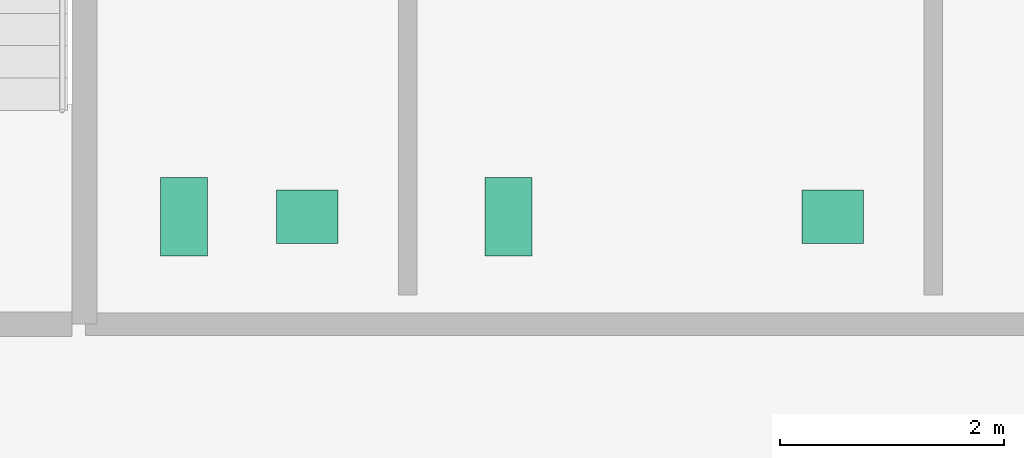
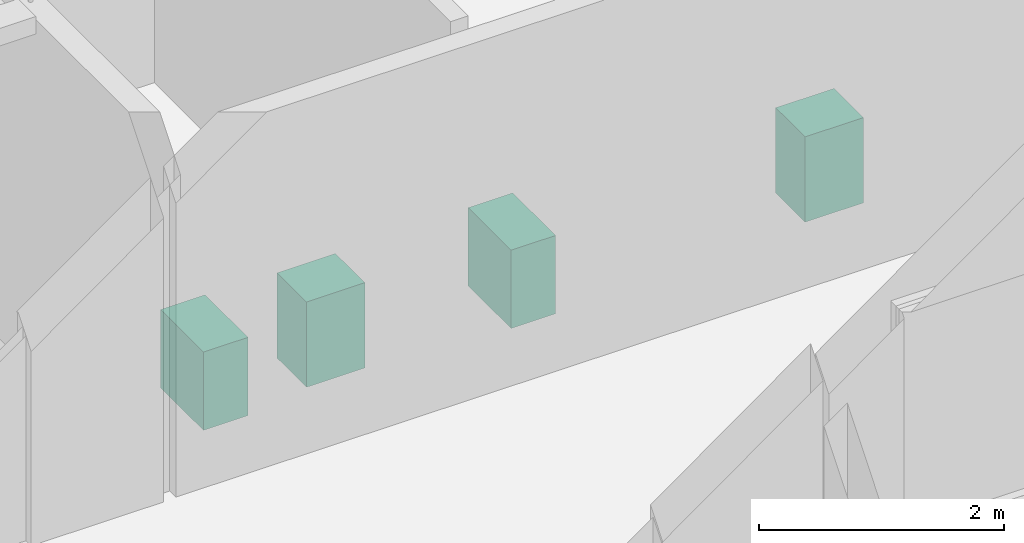
# One storey, part 14 of 14: 4 sanitary terminals.
"""IFC4 building model written with IfcOpenShell, lengths in metres."""

from ifc_helpers import new_model, si_unit, direction, frame, origin, origin_2d, place, context, subcontext, project, spatial, rectangle, extrude, material, type_object, element, save


model = new_model("IFC4")

# Units and contexts
model_context = context("Model", 3, precision=1e-05, world=origin(), true_north=direction((0.0, 1.0)))
body_context = subcontext(model_context, "Body", "Model", "MODEL_VIEW")
ifc_project = project(units=[si_unit("LENGTHUNIT", "METRE"), si_unit("AREAUNIT", "SQUARE_METRE"), si_unit("VOLUMEUNIT", "CUBIC_METRE"), si_unit("PLANEANGLEUNIT", "RADIAN"), si_unit("MASSUNIT", "GRAM", prefix="KILO")], contexts=[model_context])

# Site, building, storey
site_placement = place(None, origin())
site = spatial("IfcSite", under=ifc_project, at=site_placement, CompositionType="ELEMENT")
building_placement = place(site_placement, origin())
building = spatial("IfcBuilding", under=site, at=building_placement, Name="Norrvale University Quadrangle", CompositionType="ELEMENT")
storey_placement = place(building_placement, frame((0.0, 0.0, 218.0)))
storey = spatial("IfcBuildingStorey", under=building, at=storey_placement, Name="L55", CompositionType="ELEMENT", Elevation=218.0)

# Sanitary terminals
ifc_material = material(Name="Vitreous China Sanitaryware")
sanitary_terminal_type_1 = type_object("IfcSanitaryTerminalType", Name="Sanitary Wash Basin", PredefinedType="WASHHANDBASIN", material=ifc_material)
for number, where, z_axis, x_axis, name in (
    (1, (8.300048828125, 41.10009765625, 0.0), (0.0, 0.0, 1.0), (1.0, 0.0, 0.0), "Accessible Countertop Washbasin L55-1"),
    (2, (13.0, 41.10009765625, 0.0), (0.0, 0.0, 1.0), (1.0, 0.0, 0.0), "Accessible Countertop Washbasin L55-2"),
):
    element("IfcSanitaryTerminal", number, at=place(storey_placement, frame(where, z_axis=z_axis, x_axis=x_axis)), inside=storey, type_object=sanitary_terminal_type_1, Name=name, PredefinedType="WASHHANDBASIN", context=body_context, shape_type="SweptSolid", body=[
        extrude(rectangle(XDim=0.550048828125, YDim=0.47998046875, at=origin_2d()), origin(), (0.0, 0.0, 1.0), 0.85009765625),
    ])
sanitary_terminal_type_2 = type_object("IfcSanitaryTerminalType", Name="Sanitary Water Closet", PredefinedType="TOILETPAN", material=ifc_material)
for number, where, z_axis, x_axis, name in (
    (3, (7.199951171875, 41.10009765625, 0.0), (0.0, 0.0, 1.0), (1.0, 0.0, 0.0), "Wall-Hung Water Closet L55-1"),
    (4, (10.10009765625, 41.10009765625, 0.0), (0.0, 0.0, 1.0), (1.0, 0.0, 0.0), "Wall-Hung Water Closet L55-2"),
):
    element("IfcSanitaryTerminal", number, at=place(storey_placement, frame(where, z_axis=z_axis, x_axis=x_axis)), inside=storey, type_object=sanitary_terminal_type_2, Name=name, PredefinedType="TOILETPAN", context=body_context, shape_type="SweptSolid", body=[
        extrude(rectangle(XDim=0.419921875, YDim=0.699951171875, at=origin_2d()), origin(), (0.0, 0.0, 1.0), 0.780029296875),
    ])

save(model, "model.ifc")
